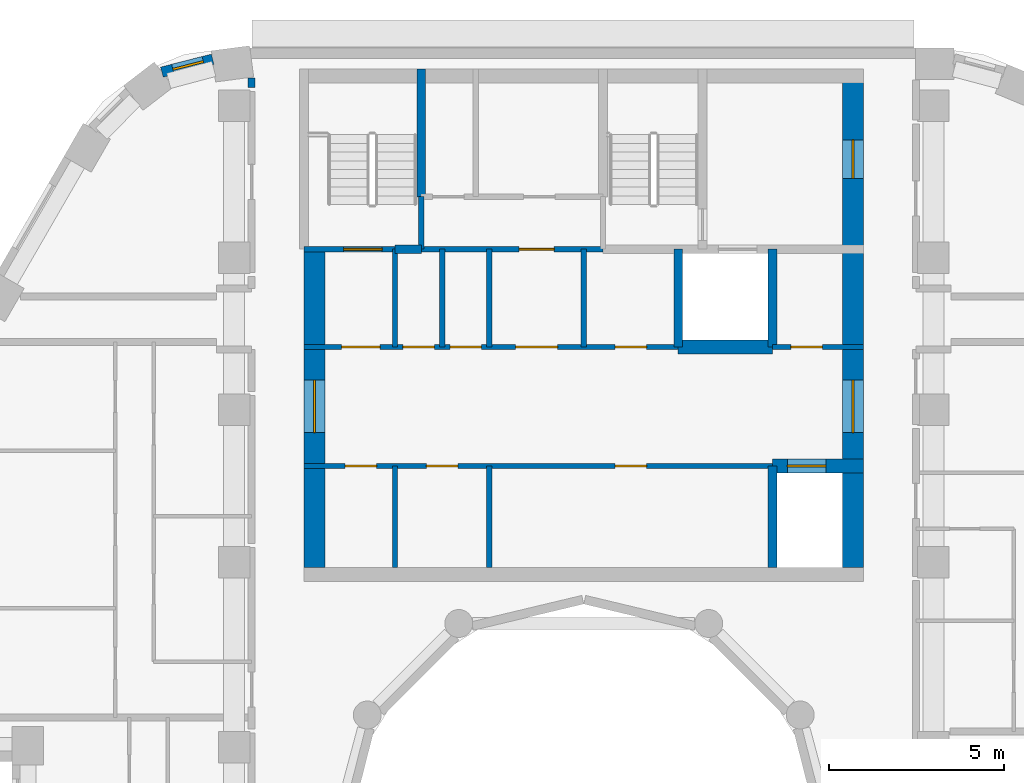
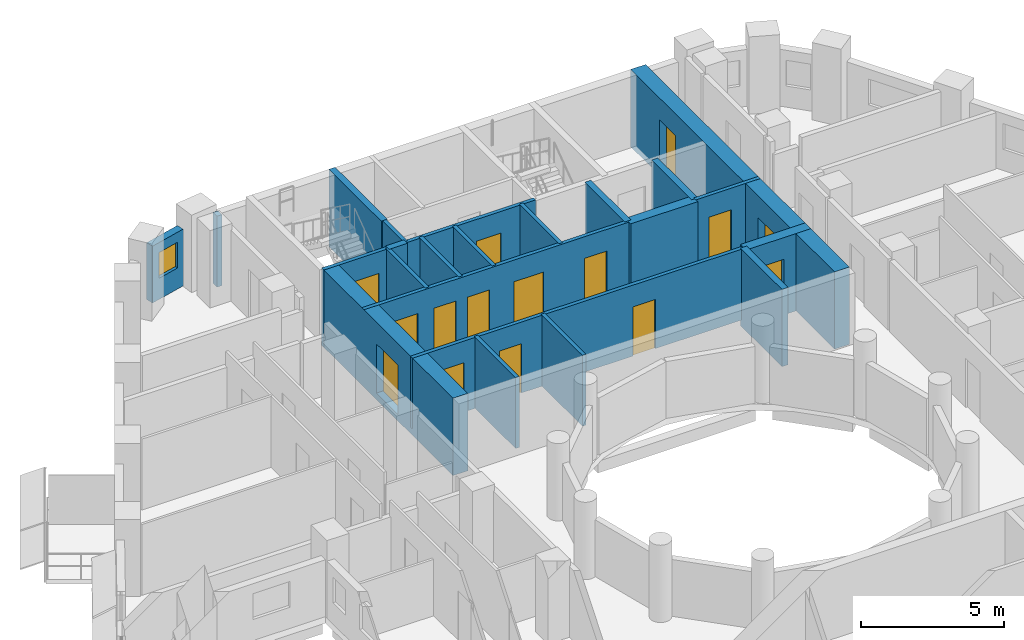
# One storey, part 7 of 14: 23 walls, 15 doors, 1 window, 16 openings.
"""IFC4 building model written with IfcOpenShell, lengths in metres."""

from ifc_helpers import new_model, si_unit, direction, frame, frame_2d, origin, place, context, subcontext, project, spatial, rectangle, extrude, material, layer, layer_set, type_object, element, fill, save


model = new_model("IFC4")

# Units and contexts
model_context = context("Model", 3, precision=1e-05, world=origin(), true_north=direction((0.0, 1.0)))
body_context = subcontext(model_context, "Body", "Model", "MODEL_VIEW")
ifc_project = project(units=[si_unit("LENGTHUNIT", "METRE"), si_unit("AREAUNIT", "SQUARE_METRE"), si_unit("VOLUMEUNIT", "CUBIC_METRE"), si_unit("PLANEANGLEUNIT", "RADIAN"), si_unit("MASSUNIT", "GRAM", prefix="KILO")], contexts=[model_context])

# Site, building, storey
site_placement = place(None, origin())
site = spatial("IfcSite", under=ifc_project, at=site_placement, CompositionType="ELEMENT")
building_placement = place(site_placement, origin())
building = spatial("IfcBuilding", under=site, at=building_placement, Name="Nakaniwa Court", CompositionType="ELEMENT")
storey_placement = place(building_placement, frame((0.0, 0.0, 265.800048828125)))
storey = spatial("IfcBuildingStorey", under=building, at=storey_placement, Name="L70", CompositionType="ELEMENT", Elevation=265.800048828125)

# Wall
ifc_material_1 = material(Name="Acoustic double stud partition")
ifc_layer_1 = layer(ifc_material_1, 0.199951171875)
ifc_layer_set_1 = layer_set([ifc_layer_1], Name="Acoustic double stud partition")
wall_type_1 = type_object("IfcWallType", Name="Acoustic double stud partition 200", PredefinedType="PARTITIONING", material=ifc_layer_set_1)
wall_1_placement = place(storey_placement, frame((70.5, 101.527099609375, 0.0), z_axis=(0.0, 0.0, 1.0), x_axis=(0.0, 1.0, 0.0)))
element("IfcWall", 1, at=wall_1_placement, inside=storey, type_object=wall_type_1, Name="Partition PW-096", PredefinedType="PARTITIONING", context=body_context, shape_type="SweptSolid", body=[
    extrude(rectangle(XDim=0.273681640625, YDim=0.199951171875, at=frame_2d((0.13671875, 0.0))), origin(), (0.0, 0.0, 1.0), 3.02490234375),
])

# Wall, opening, window
ifc_material_2 = material(Name="Charcoal ceramic cladding")
ifc_layer_2 = layer(ifc_material_2, 0.02, Name="Ceramic cladding")
ifc_material_3 = material(Name="Ventilated air cavity")
ifc_layer_3 = layer(ifc_material_3, 0.04, ventilated=True, Name="Ventilated cavity")
ifc_material_4 = material(Name="Mineral wool insulation")
ifc_layer_4 = layer(ifc_material_4, 0.1, Name="Insulation")
ifc_material_5 = material(Name="Cement bonded sheathing board")
ifc_layer_5 = layer(ifc_material_5, 0.012, Name="Sheathing")
ifc_material_6 = material(Name="Cold-formed galvanised stud frame with mineral wool infill")
ifc_layer_6 = layer(ifc_material_6, 0.1, Name="Stud frame")
ifc_material_7 = material(Name="Fire-rated gypsum plasterboard lining")
ifc_layer_7 = layer(ifc_material_7, 0.028, Name="Lining")
ifc_layer_set_2 = layer_set([ifc_layer_2, ifc_layer_3, ifc_layer_4, ifc_layer_5, ifc_layer_6, ifc_layer_7], Name="Charcoal ceramic faced external wall system")
wall_type_2 = type_object("IfcWallType", Name="Black ceramic faced external wall 300", PredefinedType="SOLIDWALL", material=ifc_layer_set_2)
wall_2_placement = place(storey_placement, frame((69.386474609375, 102.333251953125, 0.0), z_axis=(0.0, 0.0, 1.0), x_axis=(-0.968895303033, -0.247470991757, 0.0)))
wall_2 = element("IfcWall", 2, at=wall_2_placement, inside=storey, type_object=wall_type_2, Name="L70 external wall 09", PredefinedType="SOLIDWALL", context=body_context, shape_type="SweptSolid", body=[
    extrude(rectangle(XDim=1.50048828125, YDim=0.300048828125, at=frame_2d((0.750244140625, 0.0))), origin(), (0.0, 0.0, 1.0), 2.425048828125),
])
opening_1_placement = place(wall_2_placement, frame((0.27587890625, 0.0, 0.89990234375)))
opening_1 = element("IfcOpeningElement", 3, at=opening_1_placement, cuts=wall_2, Name="Opening W9.07", PredefinedType="OPENING", context=body_context, shape_type="SweptSolid", body=[
    extrude(rectangle(XDim=0.89990234375, YDim=1.10009765625, at=frame_2d((0.449951171875, 0.550048828125))), frame((0.0, 0.159912109375, 0.0), z_axis=(0.0, -1.0, 0.0), x_axis=(1.0, 0.0, 0.0)), (0.0, 0.0, 1.0), 0.320068359375),
])
ifc_material_8 = material(Name="Black anodised aluminium frame with dark low-E laminated double glazing", Category="aluminium")
window_type = type_object("IfcWindowType", Name="Dark glass window 900x1100 sill 900", PartitioningType="SINGLE_PANEL", PredefinedType="WINDOW", material=ifc_material_8)
window_placement = place(opening_1_placement, origin())
window = element("IfcWindow", 4, at=window_placement, inside=storey, type_object=window_type, Name="L70 habitable room window 09-0", OverallHeight=1.10009765625, OverallWidth=0.89990234375, PartitioningType="SINGLE_PANEL", PredefinedType="WINDOW", context=body_context, shape_type="SweptSolid", body=[
    extrude(rectangle(XDim=0.89990234375, YDim=1.10009765625, at=frame_2d((0.449951171875, 0.550048828125))), frame((0.0, 0.030029296875, 0.0), z_axis=(0.0, -1.0, 0.0), x_axis=(1.0, 0.0, 0.0)), (0.0, 0.0, 1.0), 0.06005859375),
])
fill(opening_1, window)

# Walls
ifc_material_9 = material(Name="Blockwork partition", Category="masonry")
ifc_layer_8 = layer(ifc_material_9, 0.14990234375)
ifc_layer_set_3 = layer_set([ifc_layer_8], Name="Blockwork partition")
wall_type_3 = type_object("IfcWallType", Name="Blockwork partition 150", PredefinedType="PARTITIONING", material=ifc_layer_set_3)
wall_3_placement = place(storey_placement, frame((74.60009765625, 87.800048828125, 0.0), z_axis=(0.0, 0.0, 1.0), x_axis=(0.0, 1.0, 0.0)))
element("IfcWall", 5, at=wall_3_placement, inside=storey, type_object=wall_type_3, Name="Partition PW-001", PredefinedType="PARTITIONING", context=body_context, shape_type="SweptSolid", body=[
    extrude(rectangle(XDim=2.89990234375, YDim=0.14990234375, at=frame_2d((1.449951171875, 0.0))), origin(), (0.0, 0.0, 1.0), 3.02490234375),
])
wall_4_placement = place(storey_placement, frame((74.60009765625, 94.10009765625, 0.0), z_axis=(0.0, 0.0, 1.0), x_axis=(0.0, 1.0, 0.0)))
element("IfcWall", 6, at=wall_4_placement, inside=storey, type_object=wall_type_3, Name="Partition PW-002", PredefinedType="PARTITIONING", context=body_context, shape_type="SweptSolid", body=[
    extrude(rectangle(XDim=2.7998046875, YDim=0.14990234375, at=frame_2d((1.39990234375, 0.0))), origin(), (0.0, 0.0, 1.0), 3.02490234375),
])

# Wall, openings, doors
wall_5_placement = place(storey_placement, frame((85.39990234375, 90.699951171875, 0.0), z_axis=(0.0, 0.0, 1.0), x_axis=(-1.0, 0.0, 0.0)))
wall_5 = element("IfcWall", 7, at=wall_5_placement, inside=storey, type_object=wall_type_3, Name="Partition PW-003", PredefinedType="PARTITIONING", context=body_context, shape_type="SweptSolid", body=[
    extrude(rectangle(XDim=13.39990234375, YDim=0.14990234375, at=frame_2d((6.699951171875, 0.0))), origin(), (0.0, 0.0, 1.0), 3.02490234375),
])
opening_2_placement = place(wall_5_placement, frame((11.324951171875, 0.0, 0.0)))
opening_2 = element("IfcOpeningElement", 8, at=opening_2_placement, cuts=wall_5, Name="Opening D-05-01", PredefinedType="OPENING", context=body_context, shape_type="SweptSolid", body=[
    extrude(rectangle(XDim=0.89990234375, YDim=2.10009765625, at=frame_2d((0.449951171875, 1.050048828125))), frame((0.0, 0.0849609375, 0.0), z_axis=(0.0, -1.0, 0.0), x_axis=(1.0, 0.0, 0.0)), (0.0, 0.0, 1.0), 0.169921875),
])
opening_3_placement = place(wall_5_placement, frame((9.0, 0.0, 0.0)))
opening_3 = element("IfcOpeningElement", 9, at=opening_3_placement, cuts=wall_5, Name="Opening D-05-02", PredefinedType="OPENING", context=body_context, shape_type="SweptSolid", body=[
    extrude(rectangle(XDim=0.89990234375, YDim=2.10009765625, at=frame_2d((0.449951171875, 1.050048828125))), frame((0.0, 0.0849609375, 0.0), z_axis=(0.0, -1.0, 0.0), x_axis=(1.0, 0.0, 0.0)), (0.0, 0.0, 1.0), 0.169921875),
])
opening_4_placement = place(wall_5_placement, frame((3.60009765625, 0.0, 0.0)))
opening_4 = element("IfcOpeningElement", 10, at=opening_4_placement, cuts=wall_5, Name="Opening D-05-03", PredefinedType="OPENING", context=body_context, shape_type="SweptSolid", body=[
    extrude(rectangle(XDim=0.89990234375, YDim=2.10009765625, at=frame_2d((0.449951171875, 1.050048828125))), frame((0.0, 0.0849609375, 0.0), z_axis=(0.0, -1.0, 0.0), x_axis=(1.0, 0.0, 0.0)), (0.0, 0.0, 1.0), 0.169921875),
])
ifc_material_10 = material(Name="Fire rated steel door set", Category="steel")
door_type_1 = type_object("IfcDoorType", Name="Service room door 900", OperationType="NOTDEFINED", PredefinedType="DOOR", material=ifc_material_10)
door_1_placement = place(opening_2_placement, origin())
door_1 = element("IfcDoor", 11, at=door_1_placement, inside=storey, type_object=door_type_1, Name="Door D-05-01 L70-001", OperationType="SINGLE_SWING_RIGHT", OverallHeight=2.10009765625, OverallWidth=0.89990234375, PredefinedType="DOOR", context=body_context, shape_type="SweptSolid", body=[
    extrude(rectangle(XDim=0.89990234375, YDim=2.10009765625, at=frame_2d((0.449951171875, 1.050048828125))), frame((0.0, 0.02490234375, 0.0), z_axis=(0.0, -1.0, 0.0), x_axis=(1.0, 0.0, 0.0)), (0.0, 0.0, 1.0), 0.050048828125),
])
fill(opening_2, door_1)
door_2_placement = place(opening_3_placement, origin())
door_2 = element("IfcDoor", 12, at=door_2_placement, inside=storey, type_object=door_type_1, Name="Door D-05-02 L70-002", OperationType="SINGLE_SWING_LEFT", OverallHeight=2.10009765625, OverallWidth=0.89990234375, PredefinedType="DOOR", context=body_context, shape_type="SweptSolid", body=[
    extrude(rectangle(XDim=0.89990234375, YDim=2.10009765625, at=frame_2d((0.449951171875, 1.050048828125))), frame((0.0, 0.02490234375, 0.0), z_axis=(0.0, -1.0, 0.0), x_axis=(1.0, 0.0, 0.0)), (0.0, 0.0, 1.0), 0.050048828125),
])
fill(opening_3, door_2)
door_3_placement = place(opening_4_placement, origin())
door_3 = element("IfcDoor", 13, at=door_3_placement, inside=storey, type_object=door_type_1, Name="Door D-05-03 L70-003", OperationType="SINGLE_SWING_RIGHT", OverallHeight=2.10009765625, OverallWidth=0.89990234375, PredefinedType="DOOR", context=body_context, shape_type="SweptSolid", body=[
    extrude(rectangle(XDim=0.89990234375, YDim=2.10009765625, at=frame_2d((0.449951171875, 1.050048828125))), frame((0.0, 0.02490234375, 0.0), z_axis=(0.0, -1.0, 0.0), x_axis=(1.0, 0.0, 0.0)), (0.0, 0.0, 1.0), 0.050048828125),
])
fill(opening_4, door_3)

# Walls
wall_6_placement = place(storey_placement, frame((77.300048828125, 87.800048828125, 0.0), z_axis=(0.0, 0.0, 1.0), x_axis=(0.0, 1.0, 0.0)))
element("IfcWall", 14, at=wall_6_placement, inside=storey, type_object=wall_type_3, Name="Partition PW-009", PredefinedType="PARTITIONING", context=body_context, shape_type="SweptSolid", body=[
    extrude(rectangle(XDim=2.89990234375, YDim=0.14990234375, at=frame_2d((1.449951171875, 0.0))), origin(), (0.0, 0.0, 1.0), 3.02490234375),
])
wall_7_placement = place(storey_placement, frame((77.300048828125, 94.10009765625, 0.0), z_axis=(0.0, 0.0, 1.0), x_axis=(0.0, 1.0, 0.0)))
element("IfcWall", 15, at=wall_7_placement, inside=storey, type_object=wall_type_3, Name="Partition PW-010", PredefinedType="PARTITIONING", context=body_context, shape_type="SweptSolid", body=[
    extrude(rectangle(XDim=2.7998046875, YDim=0.14990234375, at=frame_2d((1.39990234375, 0.0))), origin(), (0.0, 0.0, 1.0), 3.02490234375),
])

# Wall, openings, doors
wall_8_placement = place(storey_placement, frame((72.0, 94.10009765625, 0.0), z_axis=(0.0, 0.0, 1.0), x_axis=(1.0, 0.0, 0.0)))
wall_8 = element("IfcWall", 16, at=wall_8_placement, inside=storey, type_object=wall_type_3, Name="Partition PW-011", PredefinedType="PARTITIONING", context=body_context, shape_type="SweptSolid", body=[
    extrude(rectangle(XDim=10.702880859375, YDim=0.14990234375, at=frame_2d((5.3515625, 0.0))), origin(), (0.0, 0.0, 1.0), 3.02490234375),
])
opening_5_placement = place(wall_8_placement, frame((1.074951171875, 0.0, 0.0)))
opening_5 = element("IfcOpeningElement", 17, at=opening_5_placement, cuts=wall_8, Name="Opening D-08-01", PredefinedType="OPENING", context=body_context, shape_type="SweptSolid", body=[
    extrude(rectangle(XDim=1.10009765625, YDim=2.10009765625, at=frame_2d((0.550048828125, 1.050048828125))), frame((0.0, 0.0849609375, 0.0), z_axis=(0.0, -1.0, 0.0), x_axis=(1.0, 0.0, 0.0)), (0.0, 0.0, 1.0), 0.169921875),
])
opening_6_placement = place(wall_8_placement, frame((2.824951171875, 0.0, 0.0)))
opening_6 = element("IfcOpeningElement", 18, at=opening_6_placement, cuts=wall_8, Name="Opening D-05-04", PredefinedType="OPENING", context=body_context, shape_type="SweptSolid", body=[
    extrude(rectangle(XDim=0.89990234375, YDim=2.10009765625, at=frame_2d((0.449951171875, 1.050048828125))), frame((0.0, 0.0849609375, 0.0), z_axis=(0.0, -1.0, 0.0), x_axis=(1.0, 0.0, 0.0)), (0.0, 0.0, 1.0), 0.169921875),
])
opening_7_placement = place(wall_8_placement, frame((4.175048828125, 0.0, 0.0)))
opening_7 = element("IfcOpeningElement", 19, at=opening_7_placement, cuts=wall_8, Name="Opening D-05-05", PredefinedType="OPENING", context=body_context, shape_type="SweptSolid", body=[
    extrude(rectangle(XDim=0.89990234375, YDim=2.10009765625, at=frame_2d((0.449951171875, 1.050048828125))), frame((0.0, 0.0849609375, 0.0), z_axis=(0.0, -1.0, 0.0), x_axis=(1.0, 0.0, 0.0)), (0.0, 0.0, 1.0), 0.169921875),
])
opening_8_placement = place(wall_8_placement, frame((6.050048828125, 0.0, 0.0)))
opening_8 = element("IfcOpeningElement", 20, at=opening_8_placement, cuts=wall_8, Name="Opening D-06-01", PredefinedType="OPENING", context=body_context, shape_type="SweptSolid", body=[
    extrude(rectangle(XDim=1.199951171875, YDim=2.10009765625, at=frame_2d((0.60009765625, 1.050048828125))), frame((0.0, 0.0849609375, 0.0), z_axis=(0.0, -1.0, 0.0), x_axis=(1.0, 0.0, 0.0)), (0.0, 0.0, 1.0), 0.169921875),
])
opening_9_placement = place(wall_8_placement, frame((8.89990234375, 0.0, 0.0)))
opening_9 = element("IfcOpeningElement", 21, at=opening_9_placement, cuts=wall_8, Name="Opening D-05-06", PredefinedType="OPENING", context=body_context, shape_type="SweptSolid", body=[
    extrude(rectangle(XDim=0.89990234375, YDim=2.10009765625, at=frame_2d((0.449951171875, 1.050048828125))), frame((0.0, 0.0849609375, 0.0), z_axis=(0.0, -1.0, 0.0), x_axis=(1.0, 0.0, 0.0)), (0.0, 0.0, 1.0), 0.169921875),
])
ifc_material_11 = material(Name="Fire rated steel double door set", Category="steel")
door_type_2 = type_object("IfcDoorType", Name="Service passage double door 1200", OperationType="NOTDEFINED", PredefinedType="DOOR", material=ifc_material_11)
door_4_placement = place(opening_8_placement, origin())
door_4 = element("IfcDoor", 22, at=door_4_placement, inside=storey, type_object=door_type_2, Name="Door D-06-01 L70-007", OperationType="DOUBLE_DOOR_SINGLE_SWING", OverallHeight=2.10009765625, OverallWidth=1.199951171875, PredefinedType="DOOR", context=body_context, shape_type="SweptSolid", body=[
    extrude(rectangle(XDim=1.199951171875, YDim=2.10009765625, at=frame_2d((0.60009765625, 1.050048828125))), frame((0.0, 0.02490234375, 0.0), z_axis=(0.0, -1.0, 0.0), x_axis=(1.0, 0.0, 0.0)), (0.0, 0.0, 1.0), 0.050048828125),
])
fill(opening_8, door_4)
door_5_placement = place(opening_6_placement, origin())
door_5 = element("IfcDoor", 23, at=door_5_placement, inside=storey, type_object=door_type_1, Name="Door D-05-04 L70-005", OperationType="SINGLE_SWING_RIGHT", OverallHeight=2.10009765625, OverallWidth=0.89990234375, PredefinedType="DOOR", context=body_context, shape_type="SweptSolid", body=[
    extrude(rectangle(XDim=0.89990234375, YDim=2.10009765625, at=frame_2d((0.449951171875, 1.050048828125))), frame((0.0, 0.02490234375, 0.0), z_axis=(0.0, -1.0, 0.0), x_axis=(1.0, 0.0, 0.0)), (0.0, 0.0, 1.0), 0.050048828125),
])
fill(opening_6, door_5)
door_6_placement = place(opening_7_placement, origin())
door_6 = element("IfcDoor", 24, at=door_6_placement, inside=storey, type_object=door_type_1, Name="Door D-05-05 L70-006", OperationType="SINGLE_SWING_LEFT", OverallHeight=2.10009765625, OverallWidth=0.89990234375, PredefinedType="DOOR", context=body_context, shape_type="SweptSolid", body=[
    extrude(rectangle(XDim=0.89990234375, YDim=2.10009765625, at=frame_2d((0.449951171875, 1.050048828125))), frame((0.0, 0.02490234375, 0.0), z_axis=(0.0, -1.0, 0.0), x_axis=(1.0, 0.0, 0.0)), (0.0, 0.0, 1.0), 0.050048828125),
])
fill(opening_7, door_6)
door_7_placement = place(opening_9_placement, origin())
door_7 = element("IfcDoor", 25, at=door_7_placement, inside=storey, type_object=door_type_1, Name="Door D-05-06 L70-008", OperationType="SINGLE_SWING_LEFT", OverallHeight=2.10009765625, OverallWidth=0.89990234375, PredefinedType="DOOR", context=body_context, shape_type="SweptSolid", body=[
    extrude(rectangle(XDim=0.89990234375, YDim=2.10009765625, at=frame_2d((0.449951171875, 1.050048828125))), frame((0.0, 0.02490234375, 0.0), z_axis=(0.0, -1.0, 0.0), x_axis=(1.0, 0.0, 0.0)), (0.0, 0.0, 1.0), 0.050048828125),
])
fill(opening_9, door_7)
door_type_3 = type_object("IfcDoorType", Name="Stair lobby door 1100", OperationType="NOTDEFINED", PredefinedType="DOOR", material=ifc_material_10)
door_8_placement = place(opening_5_placement, origin())
door_8 = element("IfcDoor", 26, at=door_8_placement, inside=storey, type_object=door_type_3, Name="Door D-08-01 L70-004", OperationType="SINGLE_SWING_LEFT", OverallHeight=2.10009765625, OverallWidth=1.10009765625, PredefinedType="DOOR", context=body_context, shape_type="SweptSolid", body=[
    extrude(rectangle(XDim=1.10009765625, YDim=2.10009765625, at=frame_2d((0.550048828125, 1.050048828125))), frame((0.0, 0.02490234375, 0.0), z_axis=(0.0, -1.0, 0.0), x_axis=(1.0, 0.0, 0.0)), (0.0, 0.0, 1.0), 0.050048828125),
])
fill(opening_5, door_8)

# Wall, opening, door
wall_9_placement = place(storey_placement, frame((85.39697265625, 94.10009765625, 0.0), z_axis=(0.0, 0.0, 1.0), x_axis=(1.0, 0.0, 0.0)))
wall_9 = element("IfcWall", 27, at=wall_9_placement, inside=storey, type_object=wall_type_3, Name="Partition PW-012", PredefinedType="PARTITIONING", context=body_context, shape_type="SweptSolid", body=[
    extrude(rectangle(XDim=2.60302734375, YDim=0.14990234375, at=frame_2d((1.301513671875, 0.0))), origin(), (0.0, 0.0, 1.0), 3.02490234375),
])
opening_10_placement = place(wall_9_placement, frame((0.528076171875, 0.0, 0.0)))
opening_10 = element("IfcOpeningElement", 28, at=opening_10_placement, cuts=wall_9, Name="Opening D-05-07", PredefinedType="OPENING", context=body_context, shape_type="SweptSolid", body=[
    extrude(rectangle(XDim=0.89990234375, YDim=2.10009765625, at=frame_2d((0.449951171875, 1.050048828125))), frame((0.0, 0.0849609375, 0.0), z_axis=(0.0, -1.0, 0.0), x_axis=(1.0, 0.0, 0.0)), (0.0, 0.0, 1.0), 0.169921875),
])
door_9_placement = place(opening_10_placement, origin())
door_9 = element("IfcDoor", 29, at=door_9_placement, inside=storey, type_object=door_type_1, Name="Door D-05-07 L70-009", OperationType="SINGLE_SWING_RIGHT", OverallHeight=2.10009765625, OverallWidth=0.89990234375, PredefinedType="DOOR", context=body_context, shape_type="SweptSolid", body=[
    extrude(rectangle(XDim=0.89990234375, YDim=2.10009765625, at=frame_2d((0.449951171875, 1.050048828125))), frame((0.0, 0.02490234375, 0.0), z_axis=(0.0, -1.0, 0.0), x_axis=(1.0, 0.0, 0.0)), (0.0, 0.0, 1.0), 0.050048828125),
])
fill(opening_10, door_9)

# Wall
wall_10_placement = place(storey_placement, frame((75.949951171875, 94.10009765625, 0.0), z_axis=(0.0, 0.0, 1.0), x_axis=(0.0, 1.0, 0.0)))
element("IfcWall", 30, at=wall_10_placement, inside=storey, type_object=wall_type_3, Name="Partition PW-015", PredefinedType="PARTITIONING", context=body_context, shape_type="SweptSolid", body=[
    extrude(rectangle(XDim=2.7998046875, YDim=0.14990234375, at=frame_2d((1.39990234375, 0.0))), origin(), (0.0, 0.0, 1.0), 3.02490234375),
])

# Wall, opening, door
wall_11_placement = place(storey_placement, frame((75.346923828125, 96.89990234375, 0.0), z_axis=(0.0, 0.0, 1.0), x_axis=(1.0, 0.0, 0.0)))
wall_11 = element("IfcWall", 31, at=wall_11_placement, inside=storey, type_object=wall_type_3, Name="Partition PW-018", PredefinedType="PARTITIONING", context=body_context, shape_type="SweptSolid", body=[
    extrude(rectangle(XDim=5.2060546875, YDim=0.14990234375, at=frame_2d((2.60302734375, 0.0))), origin(), (0.0, 0.0, 1.0), 3.02490234375),
])
opening_11_placement = place(wall_11_placement, frame((2.802978515625, 0.0, 0.0)))
opening_11 = element("IfcOpeningElement", 32, at=opening_11_placement, cuts=wall_11, Name="Opening D-23-01", PredefinedType="OPENING", context=body_context, shape_type="SweptSolid", body=[
    extrude(rectangle(XDim=1.0, YDim=2.10009765625, at=frame_2d((0.5, 1.050048828125))), frame((0.0, 0.0849609375, 0.0), z_axis=(0.0, -1.0, 0.0), x_axis=(1.0, 0.0, 0.0)), (0.0, 0.0, 1.0), 0.169921875),
])
door_type_4 = type_object("IfcDoorType", Name="Service room door 1000", OperationType="NOTDEFINED", PredefinedType="DOOR", material=ifc_material_10)
door_10_placement = place(opening_11_placement, origin())
door_10 = element("IfcDoor", 33, at=door_10_placement, inside=storey, type_object=door_type_4, Name="Door D-23-01 L70-010", OperationType="SINGLE_SWING_LEFT", OverallHeight=2.10009765625, OverallWidth=1.0, PredefinedType="DOOR", context=body_context, shape_type="SweptSolid", body=[
    extrude(rectangle(XDim=1.0, YDim=2.10009765625, at=frame_2d((0.5, 1.050048828125))), frame((0.0, 0.02490234375, 0.0), z_axis=(0.0, -1.0, 0.0), x_axis=(1.0, 0.0, 0.0)), (0.0, 0.0, 1.0), 0.050048828125),
])
fill(opening_11, door_10)

# Wall
wall_12_placement = place(storey_placement, frame((80.0, 94.10009765625, 0.0), z_axis=(0.0, 0.0, 1.0), x_axis=(0.0, 1.0, 0.0)))
element("IfcWall", 34, at=wall_12_placement, inside=storey, type_object=wall_type_3, Name="Partition PW-019", PredefinedType="PARTITIONING", context=body_context, shape_type="SweptSolid", body=[
    extrude(rectangle(XDim=2.7998046875, YDim=0.14990234375, at=frame_2d((1.39990234375, 0.0))), origin(), (0.0, 0.0, 1.0), 3.02490234375),
])

# Wall, opening, door
ifc_material_12 = material(Name="Concrete C80/100", Category="concrete")
ifc_layer_9 = layer(ifc_material_12, 0.60009765625)
ifc_layer_set_4 = layer_set([ifc_layer_9], Name="Concrete C80/100")
wall_type_4 = type_object("IfcWallType", Name="Concrete core side wall 600 C80", PredefinedType="SHEAR", material=ifc_layer_set_4)
wall_13_placement = place(storey_placement, frame((72.300048828125, 87.800048828125, -0.275146484375), z_axis=(0.0, 0.0, 1.0), x_axis=(0.0, 1.0, 0.0)))
wall_13 = element("IfcWall", 35, at=wall_13_placement, inside=storey, type_object=wall_type_4, Name="Core wall SW-04", PredefinedType="SHEAR", context=body_context, shape_type="SweptSolid", body=[
    extrude(rectangle(XDim=9.099853515625, YDim=0.60009765625, at=frame_2d((4.5498046875, 0.0))), origin(), (0.0, 0.0, 1.0), 3.300048828125),
])
opening_12_placement = place(wall_13_placement, frame((3.85009765625, 0.0, 0.27490234375)))
opening_12 = element("IfcOpeningElement", 36, at=opening_12_placement, cuts=wall_13, Name="Opening D-07-02", PredefinedType="OPENING", context=body_context, shape_type="SweptSolid", body=[
    extrude(rectangle(XDim=1.5, YDim=2.10009765625, at=frame_2d((0.75, 1.050048828125))), frame((0.0, 0.31005859375, 0.0), z_axis=(0.0, -1.0, 0.0), x_axis=(1.0, 0.0, 0.0)), (0.0, 0.0, 1.0), 0.6201171875),
])
ifc_material_13 = material(Name="Glazed fire rated steel double door set", Category="steel")
door_type_5 = type_object("IfcDoorType", Name="Lobby double door 1500", OperationType="NOTDEFINED", PredefinedType="DOOR", material=ifc_material_13)
door_11_placement = place(opening_12_placement, origin())
door_11 = element("IfcDoor", 37, at=door_11_placement, inside=storey, type_object=door_type_5, Name="Door D-07-02 L70-060", OperationType="DOUBLE_DOOR_SINGLE_SWING", OverallHeight=2.10009765625, OverallWidth=1.5, PredefinedType="DOOR", context=body_context, shape_type="SweptSolid", body=[
    extrude(rectangle(XDim=1.5, YDim=2.10009765625, at=frame_2d((0.75, 1.050048828125))), frame((0.0, 0.02490234375, 0.0), z_axis=(0.0, -1.0, 0.0), x_axis=(1.0, 0.0, 0.0)), (0.0, 0.0, 1.0), 0.050048828125),
])
fill(opening_12, door_11)

# Wall, openings, doors
wall_14_placement = place(storey_placement, frame((87.699951171875, 102.050048828125, -0.275146484375), z_axis=(0.0, 0.0, 1.0), x_axis=(0.0, -1.0, 0.0)))
wall_14 = element("IfcWall", 38, at=wall_14_placement, inside=storey, type_object=wall_type_4, Name="Core wall SW-08", PredefinedType="SHEAR", context=body_context, shape_type="SweptSolid", body=[
    extrude(rectangle(XDim=14.25, YDim=0.60009765625, at=frame_2d((7.125, 0.0))), origin(), (0.0, 0.0, 1.0), 3.300048828125),
])
opening_13_placement = place(wall_14_placement, frame((8.89990234375, 0.0, 0.27490234375)))
opening_13 = element("IfcOpeningElement", 39, at=opening_13_placement, cuts=wall_14, Name="Opening D-07-01", PredefinedType="OPENING", context=body_context, shape_type="SweptSolid", body=[
    extrude(rectangle(XDim=1.5, YDim=2.10009765625, at=frame_2d((0.75, 1.050048828125))), frame((0.0, 0.31005859375, 0.0), z_axis=(0.0, -1.0, 0.0), x_axis=(1.0, 0.0, 0.0)), (0.0, 0.0, 1.0), 0.6201171875),
])
opening_14_placement = place(wall_14_placement, frame((2.02490234375, 0.0, 0.27490234375)))
opening_14 = element("IfcOpeningElement", 40, at=opening_14_placement, cuts=wall_14, Name="Opening D-10-01", PredefinedType="OPENING", context=body_context, shape_type="SweptSolid", body=[
    extrude(rectangle(XDim=1.10009765625, YDim=2.10009765625, at=frame_2d((0.550048828125, 1.050048828125))), frame((0.0, 0.31005859375, 0.0), z_axis=(0.0, -1.0, 0.0), x_axis=(1.0, 0.0, 0.0)), (0.0, 0.0, 1.0), 0.6201171875),
])
door_type_6 = type_object("IfcDoorType", Name="Firefighting lobby door 1100", OperationType="NOTDEFINED", PredefinedType="DOOR", material=ifc_material_10)
door_12_placement = place(opening_14_placement, origin())
door_12 = element("IfcDoor", 41, at=door_12_placement, inside=storey, type_object=door_type_6, Name="Door D-10-01 L70-061", OperationType="SINGLE_SWING_RIGHT", OverallHeight=2.10009765625, OverallWidth=1.10009765625, PredefinedType="DOOR", context=body_context, shape_type="SweptSolid", body=[
    extrude(rectangle(XDim=1.10009765625, YDim=2.10009765625, at=frame_2d((0.550048828125, 1.050048828125))), frame((0.0, 0.02490234375, 0.0), z_axis=(0.0, -1.0, 0.0), x_axis=(1.0, 0.0, 0.0)), (0.0, 0.0, 1.0), 0.050048828125),
])
fill(opening_14, door_12)
door_13_placement = place(opening_13_placement, origin())
door_13 = element("IfcDoor", 42, at=door_13_placement, inside=storey, type_object=door_type_5, Name="Door D-07-01 L70-059", OperationType="DOUBLE_DOOR_SINGLE_SWING", OverallHeight=2.10009765625, OverallWidth=1.5, PredefinedType="DOOR", context=body_context, shape_type="SweptSolid", body=[
    extrude(rectangle(XDim=1.5, YDim=2.10009765625, at=frame_2d((0.75, 1.050048828125))), frame((0.0, 0.02490234375, 0.0), z_axis=(0.0, -1.0, 0.0), x_axis=(1.0, 0.0, 0.0)), (0.0, 0.0, 1.0), 0.050048828125),
])
fill(opening_13, door_13)

# Wall, opening, door
ifc_layer_10 = layer(ifc_material_12, 0.39990234375)
ifc_layer_set_5 = layer_set([ifc_layer_10], Name="Concrete C80/100")
wall_type_5 = type_object("IfcWallType", Name="Concrete core spine wall 400 C80", PredefinedType="SHEAR", material=ifc_layer_set_5)
wall_15_placement = place(storey_placement, frame((85.39990234375, 90.699951171875, -0.275146484375), z_axis=(0.0, 0.0, 1.0), x_axis=(1.0, 0.0, 0.0)))
wall_15 = element("IfcWall", 43, at=wall_15_placement, inside=storey, type_object=wall_type_5, Name="Core wall SW-07", PredefinedType="SHEAR", context=body_context, shape_type="SweptSolid", body=[
    extrude(rectangle(XDim=2.60009765625, YDim=0.39990234375, at=frame_2d((1.300048828125, 0.0))), origin(), (0.0, 0.0, 1.0), 3.300048828125),
])
opening_15_placement = place(wall_15_placement, frame((0.425048828125, 0.0, 0.27490234375)))
opening_15 = element("IfcOpeningElement", 44, at=opening_15_placement, cuts=wall_15, Name="Opening LD01", PredefinedType="OPENING", context=body_context, shape_type="SweptSolid", body=[
    extrude(rectangle(XDim=1.10009765625, YDim=2.10009765625, at=frame_2d((0.550048828125, 1.050048828125))), frame((0.0, 0.2099609375, 0.0), z_axis=(0.0, -1.0, 0.0), x_axis=(1.0, 0.0, 0.0)), (0.0, 0.0, 1.0), 0.419921875),
])
ifc_material_14 = material(Name="Stainless steel sliding lift landing door", Category="steel")
door_type_7 = type_object("IfcDoorType", Name="Lift landing door 1100", OperationType="NOTDEFINED", PredefinedType="DOOR", material=ifc_material_14)
door_14_placement = place(opening_15_placement, origin())
door_14 = element("IfcDoor", 45, at=door_14_placement, inside=storey, type_object=door_type_7, Name="Lift landing door LD01 L70-001", OperationType="SLIDING_TO_LEFT", OverallHeight=2.10009765625, OverallWidth=1.10009765625, PredefinedType="DOOR", context=body_context, shape_type="SweptSolid", body=[
    extrude(rectangle(XDim=1.10009765625, YDim=2.10009765625, at=frame_2d((0.550048828125, 1.050048828125))), frame((0.0, 0.02490234375, 0.0), z_axis=(0.0, -1.0, 0.0), x_axis=(1.0, 0.0, 0.0)), (0.0, 0.0, 1.0), 0.050048828125),
])
fill(opening_15, door_14)

# Wall
wall_16_placement = place(storey_placement, frame((82.697021484375, 94.10009765625, -0.275146484375), z_axis=(0.0, 0.0, 1.0), x_axis=(1.0, 0.0, 0.0)))
element("IfcWall", 46, at=wall_16_placement, inside=storey, type_object=wall_type_5, Name="Core wall SW-13", PredefinedType="SHEAR", context=body_context, shape_type="SweptSolid", body=[
    extrude(rectangle(XDim=2.7060546875, YDim=0.39990234375, at=frame_2d((1.35302734375, 0.0))), origin(), (0.0, 0.0, 1.0), 3.300048828125),
])

# Wall, opening, door
ifc_layer_11 = layer(ifc_material_12, 0.14990234375)
ifc_layer_set_6 = layer_set([ifc_layer_11], Name="Concrete C80/100")
wall_type_6 = type_object("IfcWallType", Name="Concrete core wall 150 C80", PredefinedType="SHEAR", material=ifc_layer_set_6)
wall_17_placement = place(storey_placement, frame((74.60009765625, 96.89990234375, -0.275146484375), z_axis=(0.0, 0.0, 1.0), x_axis=(-1.0, 0.0, 0.0)))
wall_17 = element("IfcWall", 47, at=wall_17_placement, inside=storey, type_object=wall_type_6, Name="Core wall SW-14", PredefinedType="SHEAR", context=body_context, shape_type="SweptSolid", body=[
    extrude(rectangle(XDim=2.60009765625, YDim=0.14990234375, at=frame_2d((1.300048828125, 0.0))), origin(), (0.0, 0.0, 1.0), 3.300048828125),
])
opening_16_placement = place(wall_17_placement, frame((0.3701171875, 0.0, 0.27490234375)))
opening_16 = element("IfcOpeningElement", 48, at=opening_16_placement, cuts=wall_17, Name="Opening D-09-01", PredefinedType="OPENING", context=body_context, shape_type="SweptSolid", body=[
    extrude(rectangle(XDim=1.10009765625, YDim=2.10009765625, at=frame_2d((0.550048828125, 1.050048828125))), frame((0.0, 0.0849609375, 0.0), z_axis=(0.0, -1.0, 0.0), x_axis=(1.0, 0.0, 0.0)), (0.0, 0.0, 1.0), 0.169921875),
])
door_type_8 = type_object("IfcDoorType", Name="Stair door 1100", OperationType="NOTDEFINED", PredefinedType="DOOR", material=ifc_material_10)
door_15_placement = place(opening_16_placement, origin())
door_15 = element("IfcDoor", 49, at=door_15_placement, inside=storey, type_object=door_type_8, Name="Door D-09-01 L70-013", OperationType="SINGLE_SWING_LEFT", OverallHeight=2.10009765625, OverallWidth=1.10009765625, PredefinedType="DOOR", context=body_context, shape_type="SweptSolid", body=[
    extrude(rectangle(XDim=1.10009765625, YDim=2.10009765625, at=frame_2d((0.550048828125, 1.050048828125))), frame((0.0, 0.02490234375, 0.0), z_axis=(0.0, -1.0, 0.0), x_axis=(1.0, 0.0, 0.0)), (0.0, 0.0, 1.0), 0.050048828125),
])
fill(opening_16, door_15)

# Walls
wall_18_placement = place(storey_placement, frame((75.35009765625, 96.89990234375, -0.275146484375), z_axis=(0.0, 0.0, 1.0), x_axis=(0.0, 1.0, 0.0)))
element("IfcWall", 50, at=wall_18_placement, inside=storey, type_object=wall_type_6, Name="Core wall SW-21", PredefinedType="SHEAR", context=body_context, shape_type="SweptSolid", body=[
    extrude(rectangle(XDim=1.503173828125, YDim=0.14990234375, at=frame_2d((0.75146484375, 0.0))), origin(), (0.0, 0.0, 1.0), 3.300048828125),
])
ifc_layer_12 = layer(ifc_material_12, 0.25)
ifc_layer_set_7 = layer_set([ifc_layer_12], Name="Concrete C80/100")
wall_type_7 = type_object("IfcWallType", Name="Concrete shaft wall 250 C80", PredefinedType="SHEAR", material=ifc_layer_set_7)
wall_19_placement = place(storey_placement, frame((85.39990234375, 87.800048828125, -0.275146484375), z_axis=(0.0, 0.0, 1.0), x_axis=(0.0, 1.0, 0.0)))
element("IfcWall", 51, at=wall_19_placement, inside=storey, type_object=wall_type_7, Name="Core wall SW-05", PredefinedType="SHEAR", context=body_context, shape_type="SweptSolid", body=[
    extrude(rectangle(XDim=2.89990234375, YDim=0.25, at=frame_2d((1.449951171875, 0.0))), origin(), (0.0, 0.0, 1.0), 3.300048828125),
])
wall_20_placement = place(storey_placement, frame((85.39990234375, 94.10009765625, -0.275146484375), z_axis=(0.0, 0.0, 1.0), x_axis=(0.0, 1.0, 0.0)))
element("IfcWall", 52, at=wall_20_placement, inside=storey, type_object=wall_type_7, Name="Core wall SW-06", PredefinedType="SHEAR", context=body_context, shape_type="SweptSolid", body=[
    extrude(rectangle(XDim=2.7998046875, YDim=0.25, at=frame_2d((1.39990234375, 0.0))), origin(), (0.0, 0.0, 1.0), 3.300048828125),
])
wall_21_placement = place(storey_placement, frame((74.60009765625, 96.89990234375, -0.275146484375), z_axis=(0.0, 0.0, 1.0), x_axis=(1.0, 0.0, 0.0)))
element("IfcWall", 53, at=wall_21_placement, inside=storey, type_object=wall_type_7, Name="Core wall SW-16", PredefinedType="SHEAR", context=body_context, shape_type="SweptSolid", body=[
    extrude(rectangle(XDim=0.7529296875, YDim=0.25, at=frame_2d((0.37646484375, 0.0))), origin(), (0.0, 0.0, 1.0), 3.300048828125),
])
wall_22_placement = place(storey_placement, frame((82.699951171875, 94.10009765625, -0.275146484375), z_axis=(0.0, 0.0, 1.0), x_axis=(0.0, 1.0, 0.0)))
element("IfcWall", 54, at=wall_22_placement, inside=storey, type_object=wall_type_7, Name="Core wall SW-20", PredefinedType="SHEAR", context=body_context, shape_type="SweptSolid", body=[
    extrude(rectangle(XDim=2.7998046875, YDim=0.25, at=frame_2d((1.39990234375, 0.0))), origin(), (0.0, 0.0, 1.0), 3.300048828125),
])
wall_23_placement = place(storey_placement, frame((75.35009765625, 98.39697265625, -0.275146484375), z_axis=(0.0, 0.0, 1.0), x_axis=(0.0, 1.0, 0.0)))
element("IfcWall", 55, at=wall_23_placement, inside=storey, type_object=wall_type_7, Name="Core wall SW-22", PredefinedType="SHEAR", context=body_context, shape_type="SweptSolid", body=[
    extrude(rectangle(XDim=3.653076171875, YDim=0.25, at=frame_2d((1.82666015625, 0.0))), origin(), (0.0, 0.0, 1.0), 3.300048828125),
])

save(model, "model.ifc")
